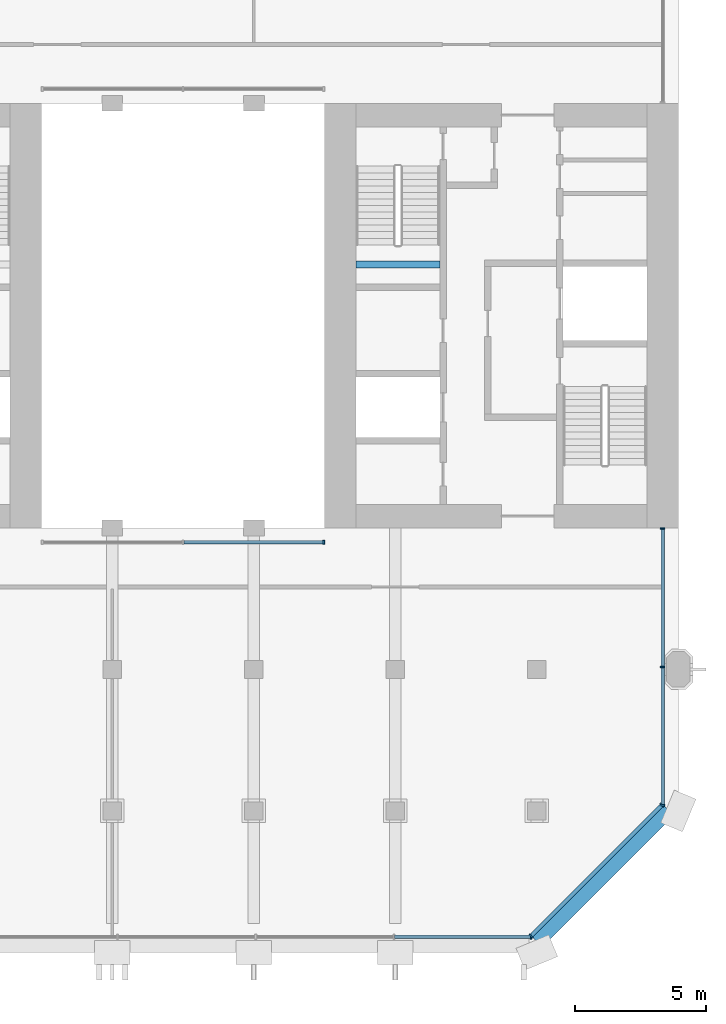
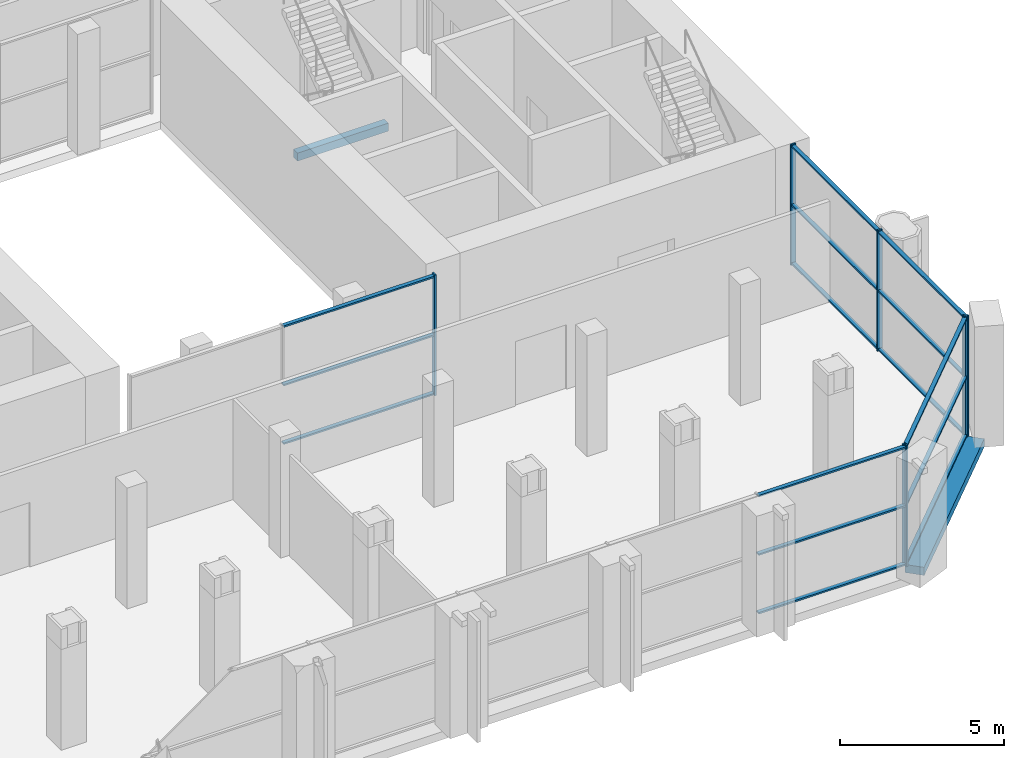
# One storey, part 5 of 14: 22 members, 2 beams, 4 elements without a shape of their own.
"""IFC4 building model written with IfcOpenShell, lengths in metres."""

from ifc_helpers import new_model, si_unit, direction, frame, origin, origin_2d, place, context, subcontext, project, spatial, rectangle, extrude, material, material_profile, profile_set, type_object, element, aggregate, save


model = new_model("IFC4")

# Units and contexts
model_context = context("Model", 3, precision=1e-05, world=origin(), true_north=direction((0.0, 1.0)))
body_context = subcontext(model_context, "Body", "Model", "MODEL_VIEW")
ifc_project = project(units=[si_unit("LENGTHUNIT", "METRE"), si_unit("AREAUNIT", "SQUARE_METRE"), si_unit("VOLUMEUNIT", "CUBIC_METRE"), si_unit("PLANEANGLEUNIT", "RADIAN"), si_unit("MASSUNIT", "GRAM", prefix="KILO")], contexts=[model_context])

# Site, building, storey
site_placement = place(None, origin())
site = spatial("IfcSite", under=ifc_project, at=site_placement, CompositionType="ELEMENT")
building_placement = place(site_placement, origin())
building = spatial("IfcBuilding", under=site, at=building_placement, Name="Tabaq Tower and Sports Hall", CompositionType="ELEMENT")
storey_placement = place(building_placement, frame((0.0, 0.0, 260.5)))
storey = spatial("IfcBuildingStorey", under=building, at=storey_placement, Name="L63", CompositionType="ELEMENT", Elevation=260.5)

# Curtain wall, members
ifc_material_1 = material(Name="Aluminium alloy 6063-T6 framed glazing", Category="aluminium")
curtain_wall_type_1 = type_object("IfcCurtainWallType", Name="CW1 curtain wall", PredefinedType="USERDEFINED", material=ifc_material_1)
curtain_wall_1_placement = place(storey_placement, origin())
curtain_wall_1 = element("IfcCurtainWall", 1, at=curtain_wall_1_placement, inside=storey, type_object=curtain_wall_type_1, Name="Atrium glazing L63 S", ObjectType="ATRIUM ENCLOSURE", PredefinedType="USERDEFINED")
ifc_material_2 = material(Name="Aluminium alloy 6063-T6", Category="aluminium")
ifc_material_profile_1 = material_profile(ifc_material_2, rectangle(XDim=0.159912109375, YDim=0.06005859375, at=origin_2d()), Name="MULLION 160x60")
ifc_profile_set_1 = profile_set([ifc_material_profile_1], Name="Aluminium alloy 6063-T6")
member_type_1 = type_object("IfcMemberType", Name="CW1 mullion 160x60", PredefinedType="MULLION", material=ifc_profile_set_1)
member_1_placement = place(storey_placement, frame((29.669921875, 15.64990234375, 0.0), z_axis=(0.0, 0.0, 1.0), x_axis=(0.0, 1.0, 0.0)))
member_1 = element("IfcMember", 2, at=member_1_placement, type_object=member_type_1, Name="CW1 mullion 3", PredefinedType="MULLION", context=body_context, shape_type="SweptSolid", body=[
    extrude(rectangle(XDim=0.159912109375, YDim=0.06005859375, at=origin_2d()), origin(), (0.0, 0.0, 1.0), 4.5),
])
ifc_material_3 = material(Name="Aluminium alloy 6063-T6", Category="aluminium")
ifc_material_profile_2 = material_profile(ifc_material_3, rectangle(XDim=0.139892578125, YDim=0.06005859375, at=origin_2d()), Name="TRANSOM 140x60")
ifc_profile_set_2 = profile_set([ifc_material_profile_2], Name="Aluminium alloy 6063-T6")
member_type_2 = type_object("IfcMemberType", Name="CW1 transom 140x60", PredefinedType="USERDEFINED", material=ifc_profile_set_2)
member_2_placement = place(storey_placement, frame((24.330078125, 15.64990234375, 0.070068359375), z_axis=(1.0, 0.0, 0.0), x_axis=(0.0, 1.0, 0.0)))
member_2 = element("IfcMember", 3, at=member_2_placement, type_object=member_type_2, Name="CW1 transom 2.1", ObjectType="TRANSOM", PredefinedType="USERDEFINED", context=body_context, shape_type="SweptSolid", body=[
    extrude(rectangle(XDim=0.139892578125, YDim=0.06005859375, at=origin_2d()), origin(), (0.0, 0.0, 1.0), 5.309814453125),
])
member_3_placement = place(storey_placement, frame((24.330078125, 15.64990234375, 2.25), z_axis=(1.0, 0.0, 0.0), x_axis=(0.0, 1.0, 0.0)))
member_3 = element("IfcMember", 4, at=member_3_placement, type_object=member_type_2, Name="CW1 transom 2.2", ObjectType="TRANSOM", PredefinedType="USERDEFINED", context=body_context, shape_type="SweptSolid", body=[
    extrude(rectangle(XDim=0.139892578125, YDim=0.06005859375, at=origin_2d()), origin(), (0.0, 0.0, 1.0), 5.309814453125),
])
member_4_placement = place(storey_placement, frame((24.330078125, 15.64990234375, 4.429931640625), z_axis=(1.0, 0.0, 0.0), x_axis=(0.0, 1.0, 0.0)))
member_4 = element("IfcMember", 5, at=member_4_placement, type_object=member_type_2, Name="CW1 transom 2.3", ObjectType="TRANSOM", PredefinedType="USERDEFINED", context=body_context, shape_type="SweptSolid", body=[
    extrude(rectangle(XDim=0.139892578125, YDim=0.06005859375, at=origin_2d()), origin(), (0.0, 0.0, 1.0), 5.309814453125),
])
aggregate(curtain_wall_1, [member_1, member_2, member_3, member_4])

# Curtain wall, member
ifc_material_4 = material(Name="Aluminium alloy 6063-T6 framed glazing", Category="aluminium")
curtain_wall_type_2 = type_object("IfcCurtainWallType", Name="CW3 curtain wall", PredefinedType="USERDEFINED", material=ifc_material_4)
curtain_wall_2_placement = place(storey_placement, origin())
curtain_wall_2 = element("IfcCurtainWall", 6, at=curtain_wall_2_placement, inside=storey, type_object=curtain_wall_type_2, Name="Garden Floor Wall L63 S", ObjectType="GARDEN FLOOR WALL", PredefinedType="USERDEFINED")
ifc_material_5 = material(Name="Aluminium alloy 6063-T6", Category="aluminium")
ifc_material_profile_3 = material_profile(ifc_material_5, rectangle(XDim=0.179931640625, YDim=0.06005859375, at=origin_2d()), Name="MULLION 180x60")
ifc_profile_set_3 = profile_set([ifc_material_profile_3], Name="Aluminium alloy 6063-T6")
member_type_3 = type_object("IfcMemberType", Name="CW3 mullion 180x60", PredefinedType="MULLION", material=ifc_profile_set_3)
member_5_placement = place(storey_placement, frame((37.58349609375, 0.60009765625, 0.0), z_axis=(0.0, 0.0, 1.0), x_axis=(0.0, 1.0, 0.0)))
member_5 = element("IfcMember", 7, at=member_5_placement, type_object=member_type_3, Name="CW3 mullion 7", PredefinedType="MULLION", context=body_context, shape_type="SweptSolid", body=[
    extrude(rectangle(XDim=0.179931640625, YDim=0.06005859375, at=origin_2d()), origin(), (0.0, 0.0, 1.0), 4.5),
])

# Curtain wall, members
curtain_wall_3_placement = place(storey_placement, origin())
curtain_wall_3 = element("IfcCurtainWall", 8, at=curtain_wall_3_placement, inside=storey, type_object=curtain_wall_type_2, Name="Garden Floor Wall L63 SE", ObjectType="GARDEN FLOOR WALL", PredefinedType="USERDEFINED")
member_6_placement = place(storey_placement, frame((37.57275390625, 0.62109375, 0.0), z_axis=(0.0, 0.0, 1.0), x_axis=(-0.707106781187, 0.707106781187, 0.0)))
member_6 = element("IfcMember", 9, at=member_6_placement, type_object=member_type_3, Name="CW3 mullion 1", PredefinedType="MULLION", context=body_context, shape_type="SweptSolid", body=[
    extrude(rectangle(XDim=0.179931640625, YDim=0.06005859375, at=origin_2d()), origin(), (0.0, 0.0, 1.0), 4.5),
])
member_7_placement = place(storey_placement, frame((42.578857421875, 5.627197265625, 0.0), z_axis=(0.0, 0.0, 1.0), x_axis=(-0.707106781187, 0.707106781187, 0.0)))
member_7 = element("IfcMember", 10, at=member_7_placement, type_object=member_type_3, Name="CW3 mullion 2", PredefinedType="MULLION", context=body_context, shape_type="SweptSolid", body=[
    extrude(rectangle(XDim=0.179931640625, YDim=0.06005859375, at=origin_2d()), origin(), (0.0, 0.0, 1.0), 4.5),
])

curtain_wall_4_placement = place(storey_placement, origin())
curtain_wall_4 = element("IfcCurtainWall", 11, at=curtain_wall_4_placement, inside=storey, type_object=curtain_wall_type_2, Name="Garden Floor Wall L63 E", ObjectType="GARDEN FLOOR WALL", PredefinedType="USERDEFINED")
member_8_placement = place(storey_placement, frame((42.60009765625, 5.616455078125, 0.0), z_axis=(0.0, 0.0, 1.0), x_axis=(-1.0, 0.0, 0.0)))
member_8 = element("IfcMember", 12, at=member_8_placement, type_object=member_type_3, Name="CW3 mullion 1", PredefinedType="MULLION", context=body_context, shape_type="SweptSolid", body=[
    extrude(rectangle(XDim=0.179931640625, YDim=0.06005859375, at=origin_2d()), origin(), (0.0, 0.0, 1.0), 4.5),
])
member_9_placement = place(storey_placement, frame((42.60009765625, 10.893310546875, 0.0), z_axis=(0.0, 0.0, 1.0), x_axis=(-1.0, 0.0, 0.0)))
member_9 = element("IfcMember", 13, at=member_9_placement, type_object=member_type_3, Name="CW3 mullion 2", PredefinedType="MULLION", context=body_context, shape_type="SweptSolid", body=[
    extrude(rectangle(XDim=0.179931640625, YDim=0.06005859375, at=origin_2d()), origin(), (0.0, 0.0, 1.0), 4.5),
])
member_10_placement = place(storey_placement, frame((42.60009765625, 16.169921875, 0.0), z_axis=(0.0, 0.0, 1.0), x_axis=(-1.0, 0.0, 0.0)))
member_10 = element("IfcMember", 14, at=member_10_placement, type_object=member_type_3, Name="CW3 mullion 3", PredefinedType="MULLION", context=body_context, shape_type="SweptSolid", body=[
    extrude(rectangle(XDim=0.179931640625, YDim=0.06005859375, at=origin_2d()), origin(), (0.0, 0.0, 1.0), 4.5),
])

# Member
ifc_material_6 = material(Name="Aluminium alloy 6063-T6", Category="aluminium")
ifc_material_profile_4 = material_profile(ifc_material_6, rectangle(XDim=0.139892578125, YDim=0.06005859375, at=origin_2d()), Name="TRANSOM 140x60")
ifc_profile_set_4 = profile_set([ifc_material_profile_4], Name="Aluminium alloy 6063-T6")
member_type_4 = type_object("IfcMemberType", Name="CW3 transom 140x60", PredefinedType="USERDEFINED", material=ifc_profile_set_4)
member_11_placement = place(storey_placement, frame((32.374755859375, 0.60009765625, 0.070068359375), z_axis=(1.0, 0.0, 0.0), x_axis=(0.0, 1.0, 0.0)))
member_11 = element("IfcMember", 15, at=member_11_placement, type_object=member_type_4, Name="CW3 transom 6.1", ObjectType="TRANSOM", PredefinedType="USERDEFINED", context=body_context, shape_type="SweptSolid", body=[
    extrude(rectangle(XDim=0.139892578125, YDim=0.06005859375, at=origin_2d()), origin(), (0.0, 0.0, 1.0), 5.178955078125),
])

member_12_placement = place(storey_placement, frame((32.374755859375, 0.60009765625, 2.25), z_axis=(1.0, 0.0, 0.0), x_axis=(0.0, 1.0, 0.0)))
member_12 = element("IfcMember", 16, at=member_12_placement, type_object=member_type_4, Name="CW3 transom 6.2", ObjectType="TRANSOM", PredefinedType="USERDEFINED", context=body_context, shape_type="SweptSolid", body=[
    extrude(rectangle(XDim=0.139892578125, YDim=0.06005859375, at=origin_2d()), origin(), (0.0, 0.0, 1.0), 5.178955078125),
])

member_13_placement = place(storey_placement, frame((32.374755859375, 0.60009765625, 4.429931640625), z_axis=(1.0, 0.0, 0.0), x_axis=(0.0, 1.0, 0.0)))
member_13 = element("IfcMember", 17, at=member_13_placement, type_object=member_type_4, Name="CW3 transom 6.3", ObjectType="TRANSOM", PredefinedType="USERDEFINED", context=body_context, shape_type="SweptSolid", body=[
    extrude(rectangle(XDim=0.139892578125, YDim=0.06005859375, at=origin_2d()), origin(), (0.0, 0.0, 1.0), 5.178955078125),
])

aggregate(curtain_wall_2, [member_5, member_11, member_12, member_13])

member_14_placement = place(storey_placement, frame((37.593994140625, 0.642333984375, 0.070068359375), z_axis=(0.707089391533, 0.707124170412, 0.0), x_axis=(-0.707124170412, 0.707089391533, 0.0)))
member_14 = element("IfcMember", 18, at=member_14_placement, type_object=member_type_4, Name="CW3 transom 1.1", ObjectType="TRANSOM", PredefinedType="USERDEFINED", context=body_context, shape_type="SweptSolid", body=[
    extrude(rectangle(XDim=0.139892578125, YDim=0.06005859375, at=origin_2d()), origin(), (0.0, 0.0, 1.0), 7.019775390625),
])

member_15_placement = place(storey_placement, frame((37.593994140625, 0.642333984375, 2.25), z_axis=(0.707089391533, 0.707124170412, 0.0), x_axis=(-0.707124170412, 0.707089391533, 0.0)))
member_15 = element("IfcMember", 19, at=member_15_placement, type_object=member_type_4, Name="CW3 transom 1.2", ObjectType="TRANSOM", PredefinedType="USERDEFINED", context=body_context, shape_type="SweptSolid", body=[
    extrude(rectangle(XDim=0.139892578125, YDim=0.06005859375, at=origin_2d()), origin(), (0.0, 0.0, 1.0), 7.019775390625),
])

member_16_placement = place(storey_placement, frame((37.593994140625, 0.642333984375, 4.429931640625), z_axis=(0.707089391533, 0.707124170412, 0.0), x_axis=(-0.707124170412, 0.707089391533, 0.0)))
member_16 = element("IfcMember", 20, at=member_16_placement, type_object=member_type_4, Name="CW3 transom 1.3", ObjectType="TRANSOM", PredefinedType="USERDEFINED", context=body_context, shape_type="SweptSolid", body=[
    extrude(rectangle(XDim=0.139892578125, YDim=0.06005859375, at=origin_2d()), origin(), (0.0, 0.0, 1.0), 7.019775390625),
])

aggregate(curtain_wall_3, [member_6, member_7, member_14, member_15, member_16])

member_17_placement = place(storey_placement, frame((42.60009765625, 5.646484375, 0.070068359375), z_axis=(0.0, 1.0, 0.0), x_axis=(-1.0, 0.0, 0.0)))
member_17 = element("IfcMember", 21, at=member_17_placement, type_object=member_type_4, Name="CW3 transom 1.1", ObjectType="TRANSOM", PredefinedType="USERDEFINED", context=body_context, shape_type="SweptSolid", body=[
    extrude(rectangle(XDim=0.139892578125, YDim=0.06005859375, at=origin_2d()), origin(), (0.0, 0.0, 1.0), 5.216796875),
])

member_18_placement = place(storey_placement, frame((42.60009765625, 5.646484375, 2.25), z_axis=(0.0, 1.0, 0.0), x_axis=(-1.0, 0.0, 0.0)))
member_18 = element("IfcMember", 22, at=member_18_placement, type_object=member_type_4, Name="CW3 transom 1.2", ObjectType="TRANSOM", PredefinedType="USERDEFINED", context=body_context, shape_type="SweptSolid", body=[
    extrude(rectangle(XDim=0.139892578125, YDim=0.06005859375, at=origin_2d()), origin(), (0.0, 0.0, 1.0), 5.216796875),
])

member_19_placement = place(storey_placement, frame((42.60009765625, 5.646484375, 4.429931640625), z_axis=(0.0, 1.0, 0.0), x_axis=(-1.0, 0.0, 0.0)))
member_19 = element("IfcMember", 23, at=member_19_placement, type_object=member_type_4, Name="CW3 transom 1.3", ObjectType="TRANSOM", PredefinedType="USERDEFINED", context=body_context, shape_type="SweptSolid", body=[
    extrude(rectangle(XDim=0.139892578125, YDim=0.06005859375, at=origin_2d()), origin(), (0.0, 0.0, 1.0), 5.216796875),
])

member_20_placement = place(storey_placement, frame((42.60009765625, 10.923095703125, 0.070068359375), z_axis=(0.0, 1.0, 0.0), x_axis=(-1.0, 0.0, 0.0)))
member_20 = element("IfcMember", 24, at=member_20_placement, type_object=member_type_4, Name="CW3 transom 2.1", ObjectType="TRANSOM", PredefinedType="USERDEFINED", context=body_context, shape_type="SweptSolid", body=[
    extrude(rectangle(XDim=0.139892578125, YDim=0.06005859375, at=origin_2d()), origin(), (0.0, 0.0, 1.0), 5.216796875),
])

member_21_placement = place(storey_placement, frame((42.60009765625, 10.923095703125, 2.25), z_axis=(0.0, 1.0, 0.0), x_axis=(-1.0, 0.0, 0.0)))
member_21 = element("IfcMember", 25, at=member_21_placement, type_object=member_type_4, Name="CW3 transom 2.2", ObjectType="TRANSOM", PredefinedType="USERDEFINED", context=body_context, shape_type="SweptSolid", body=[
    extrude(rectangle(XDim=0.139892578125, YDim=0.06005859375, at=origin_2d()), origin(), (0.0, 0.0, 1.0), 5.216796875),
])

member_22_placement = place(storey_placement, frame((42.60009765625, 10.923095703125, 4.429931640625), z_axis=(0.0, 1.0, 0.0), x_axis=(-1.0, 0.0, 0.0)))
member_22 = element("IfcMember", 26, at=member_22_placement, type_object=member_type_4, Name="CW3 transom 2.3", ObjectType="TRANSOM", PredefinedType="USERDEFINED", context=body_context, shape_type="SweptSolid", body=[
    extrude(rectangle(XDim=0.139892578125, YDim=0.06005859375, at=origin_2d()), origin(), (0.0, 0.0, 1.0), 5.216796875),
])

aggregate(curtain_wall_4, [member_8, member_9, member_10, member_17, member_18, member_19, member_20, member_21, member_22])

# Beams
ifc_material_7 = material(Name="Concrete C40/50", Category="concrete")
ifc_material_profile_5 = material_profile(ifc_material_7, rectangle(XDim=0.60009765625, YDim=0.300048828125, at=origin_2d()), Name="EB 600x300")
ifc_profile_set_5 = profile_set([ifc_material_profile_5], Name="Concrete C40/50")
beam_type_1 = type_object("IfcBeamType", Name="PT EDGE BEAM EB 600x300 C40/50", PredefinedType="SPANDREL", material=ifc_profile_set_5)
beam_1_placement = place(storey_placement, frame((37.799072265625, 0.42333984375, -0.14990234375), z_axis=(0.707106781187, 0.707106781187, 0.0), x_axis=(-0.707106781187, 0.707106781187, 0.0)))
element("IfcBeam", 27, at=beam_1_placement, inside=storey, type_object=beam_type_1, Name="Edge Beam L63 2", PredefinedType="SPANDREL", context=body_context, shape_type="SweptSolid", body=[
    extrude(rectangle(XDim=0.60009765625, YDim=0.300048828125, at=origin_2d()), origin(), (0.0, 0.0, 1.0), 7.087890625),
])
ifc_material_8 = material(Name="Concrete C40/50", Category="concrete")
ifc_material_profile_6 = material_profile(ifc_material_8, rectangle(XDim=0.25, YDim=0.300048828125, at=origin_2d()), Name="RC 250x300")
ifc_profile_set_6 = profile_set([ifc_material_profile_6], Name="Concrete C40/50")
beam_type_2 = type_object("IfcBeamType", Name="Stair landing beam 250x300", PredefinedType="BEAM", material=ifc_profile_set_6)
beam_2_placement = place(storey_placement, frame((30.89990234375, 26.25, 2.050048828125), z_axis=(1.0, 0.0, 0.0), x_axis=(0.0, 1.0, 0.0)))
element("IfcBeam", 28, at=beam_2_placement, inside=storey, type_object=beam_type_2, Name="L63 ST4 landing beam 1", PredefinedType="BEAM", context=body_context, shape_type="SweptSolid", body=[
    extrude(rectangle(XDim=0.25, YDim=0.300048828125, at=origin_2d()), origin(), (0.0, 0.0, 1.0), 3.2001953125),
])

save(model, "model.ifc")
